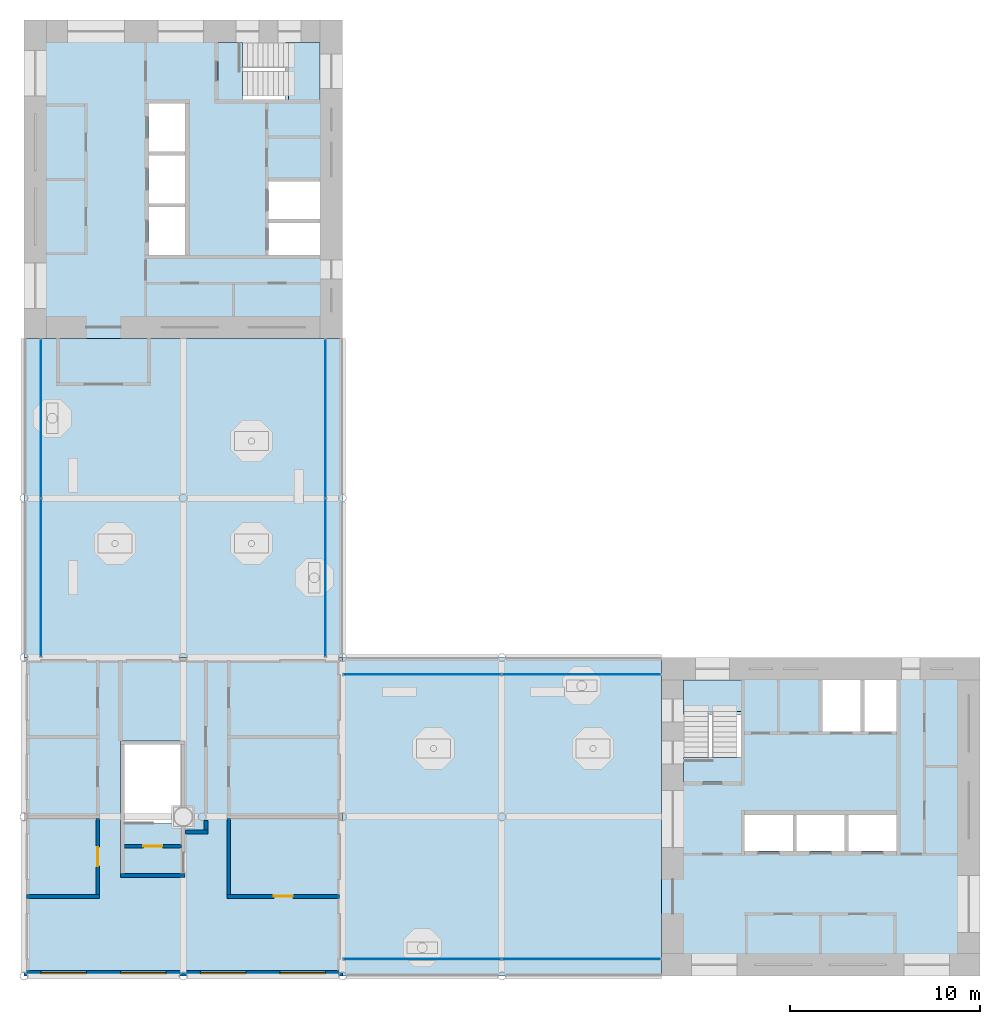
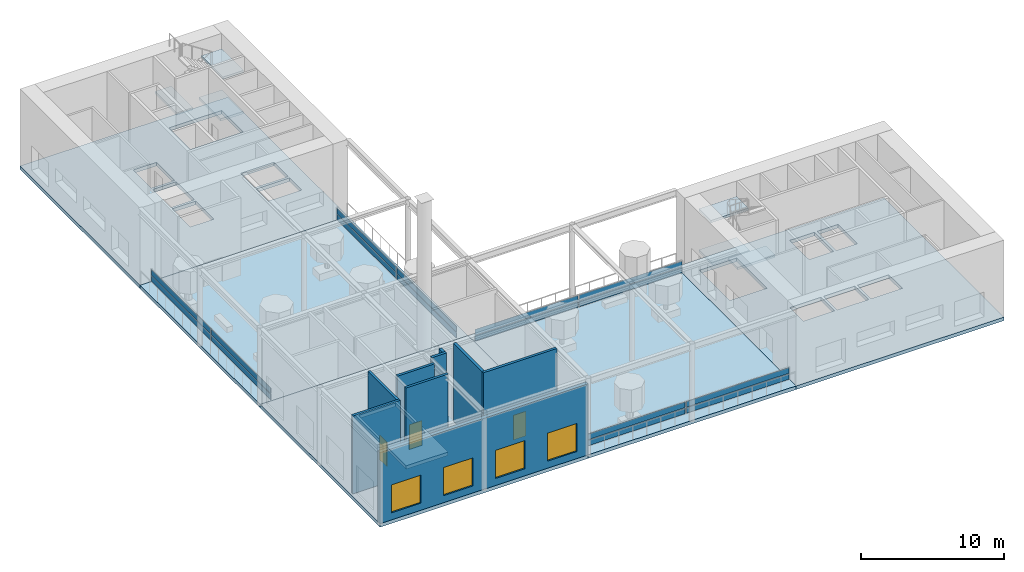
# One storey, part 7 of 15: 16 plates, 12 slabs, 9 walls, 4 windows, 3 doors, 7 openings, 10 elements without a shape of their own.
"""IFC4 building model written with IfcOpenShell, lengths in metres."""

import ifcopenshell
import ifcopenshell.guid

model = None  # the IFC model being written
_history = None  # IfcOwnerHistory: only IFC2X3 demands one
_inside = {}  # id of a spatial element -> (the spatial element, [elements in it])
_under = {}  # id of a project, library or spatial element -> (it, [spatial elements below it])
_declared = {}  # id of a project -> (the project, [libraries it declares])
_typed = {}  # id of a type object -> (the type object, [elements of that type])
_made_of = {}  # id of a material, layer set ... -> (it, [elements and type objects made of it])


def new_model(schema):
    """Start an empty IFC model of exactly this schema.

    Asked for "IFC4X3", IfcOpenShell would pick the latest addendum, in which some entities
    have other attributes; the version numbers below select the first issue.
    IFC2X3 requires an IfcOwnerHistory on every rooted entity: one is made here for all.
    """
    global model, _history
    if schema == "IFC4X3":
        model = ifcopenshell.file(schema_version=(4, 3, 0, 0))
    else:
        model = ifcopenshell.file(schema=schema)
    _inside.clear()
    _under.clear()
    _declared.clear()
    _typed.clear()
    _made_of.clear()
    _history = None
    if model.schema == "IFC2X3":
        org = make("IfcOrganization", Name="unknown")
        user = make(
            "IfcPersonAndOrganization",
            ThePerson=make("IfcPerson", FamilyName="unknown"),
            TheOrganization=org,
        )
        app = make(
            "IfcApplication",
            ApplicationDeveloper=org,
            Version="unknown",
            ApplicationFullName="unknown",
            ApplicationIdentifier="unknown",
        )
        _history = make(
            "IfcOwnerHistory",
            OwningUser=user,
            OwningApplication=app,
            ChangeAction="ADDED",
            CreationDate=0,
        )
    return model


def make(cls, **values):
    """One entity of the class cls with the attributes given. An attribute that is None is left unset."""
    return model.create_entity(
        cls, **{name: value for name, value in values.items() if value is not None}
    )


def rooted(cls, **values):
    """An entity with a GlobalId (a new one), such as an element, a storey or a relation."""
    return make(cls, GlobalId=ifcopenshell.guid.new(), OwnerHistory=_history, **values)


def si_unit(unit_type, name, prefix=None):
    """IfcSIUnit, for example si_unit("LENGTHUNIT", "METRE", prefix="MILLI")."""
    return make("IfcSIUnit", UnitType=unit_type, Prefix=prefix, Name=name)


def assignment(units):
    """IfcUnitAssignment: the units of a project."""
    return None if units is None else make("IfcUnitAssignment", Units=units)


def point(xyz):
    """IfcCartesianPoint."""
    return None if xyz is None else make("IfcCartesianPoint", Coordinates=xyz)


def direction(xyz):
    """IfcDirection."""
    return None if xyz is None else make("IfcDirection", DirectionRatios=xyz)


def frame(location, z_axis=None, x_axis=None):
    """IfcAxis2Placement3D, a coordinate frame: its origin and axes. An axis left out is left unset."""
    return make(
        "IfcAxis2Placement3D",
        Location=point(location),
        Axis=direction(z_axis),
        RefDirection=direction(x_axis),
    )


def frame_2d(location, x_axis=None):
    """IfcAxis2Placement2D, a coordinate frame in the plane: its origin and x axis."""
    return make(
        "IfcAxis2Placement2D", Location=point(location), RefDirection=direction(x_axis)
    )


def origin():
    """The frame at (0, 0, 0) with its axes left unset."""
    return frame((0.0, 0.0, 0.0))


def origin_2d():
    """The frame at (0, 0) in the plane with its x axis left unset."""
    return frame_2d((0.0, 0.0))


def place(relative_to, where):
    """IfcLocalPlacement: puts the frame where relative to a parent placement (None: the world)."""
    return make(
        "IfcLocalPlacement", PlacementRelTo=relative_to, RelativePlacement=where
    )


def context(
    kind, dimensions, precision=None, world=None, true_north=None, identifier=None
):
    """IfcGeometricRepresentationContext, for example the 3D "Model" context."""
    return make(
        "IfcGeometricRepresentationContext",
        ContextIdentifier=identifier,
        ContextType=kind,
        CoordinateSpaceDimension=dimensions,
        Precision=precision,
        WorldCoordinateSystem=world,
        TrueNorth=true_north,
    )


def subcontext(parent, identifier, kind, view, scale=None):
    """IfcGeometricRepresentationSubContext, for example "Body" below "Model"."""
    return make(
        "IfcGeometricRepresentationSubContext",
        ContextIdentifier=identifier,
        ContextType=kind,
        ParentContext=parent,
        TargetScale=scale,
        TargetView=view,
    )


def project(units=None, contexts=None):
    """IfcProject with its units and contexts."""
    return rooted(
        "IfcProject",
        Name="project",
        RepresentationContexts=contexts,
        UnitsInContext=assignment(units),
    )


def spatial(cls, under=None, at=None, **own):
    """A site, building, storey or space (cls), placed at a placement, below another one or the project."""
    s = rooted(cls, ObjectPlacement=at, **own)
    if under is not None:
        _under.setdefault(under.id(), (under, []))[1].append(s)
    return s


def polyline(points):
    """IfcPolyline through the points."""
    return make("IfcPolyline", Points=[point(p) for p in points])


def profile(cls, at=None, kind="AREA", **sizes):
    """A parametric profile (cls). Its sizes go by their IFC names, for example OverallWidth=200.0."""
    return make(cls, ProfileType=kind, Position=at, **sizes)


def rectangle(**sizes):
    """IfcRectangleProfileDef."""
    return profile("IfcRectangleProfileDef", **sizes)


def outline(outer, holes=None, kind="AREA"):
    """IfcArbitraryClosedProfileDef: a profile drawn as a closed curve; with holes, ...WithVoids."""
    if holes is None:
        return make("IfcArbitraryClosedProfileDef", ProfileType=kind, OuterCurve=outer)
    return make(
        "IfcArbitraryProfileDefWithVoids",
        ProfileType=kind,
        OuterCurve=outer,
        InnerCurves=holes,
    )


def extrude(swept, where, along, depth):
    """IfcExtrudedAreaSolid: the profile swept, set in the frame where, extruded along a direction by depth."""
    return make(
        "IfcExtrudedAreaSolid",
        SweptArea=swept,
        Position=where,
        ExtrudedDirection=direction(along),
        Depth=depth,
    )


def shape(context_of_items, identifier, shape_type, items):
    """IfcShapeRepresentation: the items that make up one representation, for example the "Body"."""
    return make(
        "IfcShapeRepresentation",
        ContextOfItems=context_of_items,
        RepresentationIdentifier=identifier,
        RepresentationType=shape_type,
        Items=items,
    )


def material(Name=None, Category=None):
    """IfcMaterial."""
    return make("IfcMaterial", Name=Name, Category=Category)


def layer(
    of_material, thickness, ventilated=None, Name=None, Category=None, Priority=None
):
    """IfcMaterialLayer: one layer of a wall or slab, of a material (None: an air gap)."""
    return make(
        "IfcMaterialLayer",
        Material=of_material,
        LayerThickness=thickness,
        IsVentilated=ventilated,
        Name=Name,
        Category=Category,
        Priority=Priority,
    )


def layer_set(layers, Name=None):
    """IfcMaterialLayerSet."""
    return make("IfcMaterialLayerSet", MaterialLayers=layers, LayerSetName=Name)


def made_of(thing, what):
    """Note that an element or type object is made of a material, layer set ...; save() writes the relation."""
    if what is not None:
        _made_of.setdefault(what.id(), (what, []))[1].append(thing)
    return thing


def type_object(cls, material=None, **own):
    """A type object (cls), such as IfcWallType, which elements share."""
    return made_of(rooted(cls, **own), material)


def element(
    cls,
    number,
    at=None,
    inside=None,
    cuts=None,
    type_object=None,
    material=None,
    context=None,
    identifier="Body",
    shape_type=None,
    held_by="IfcProductDefinitionShape",
    body=None,
    shapes=None,
    **own,
):
    """One element of the class cls, such as IfcWall. Its Tag is "e" and its number.

    at: its placement. inside: the storey or other place that contains it. cuts: it is an
    opening in that element (IfcRelVoidsElement). A single representation is given by context,
    identifier, shape_type and body (its items); several are given by shapes. held_by: the class
    of the entity that holds the representations. save() writes the other relations.
    """
    e = rooted(cls, Tag="e%d" % number, ObjectPlacement=at, **own)
    if body is not None:
        shapes = [shape(context, identifier, shape_type, body)]
    if shapes is not None:
        e.Representation = make(held_by, Representations=shapes)
    if inside is not None:
        _inside.setdefault(inside.id(), (inside, []))[1].append(e)
    if cuts is not None:
        rooted(
            "IfcRelVoidsElement", RelatingBuildingElement=cuts, RelatedOpeningElement=e
        )
    if type_object is not None:
        _typed.setdefault(type_object.id(), (type_object, []))[1].append(e)
    return made_of(e, material)


def fill(opening, filler):
    """IfcRelFillsElement: the door or window that sits in an opening."""
    return rooted(
        "IfcRelFillsElement",
        RelatingOpeningElement=opening,
        RelatedBuildingElement=filler,
    )


def aggregate(whole, parts):
    """IfcRelAggregates: a whole, such as a stair, and the parts it consists of."""
    return rooted("IfcRelAggregates", RelatingObject=whole, RelatedObjects=parts)


def save(model, path):
    """Write the relations noted so far, then the file.

    IfcRelAggregates (storeys below a building ...), IfcRelContainedInSpatialStructure (elements
    in a storey), IfcRelDefinesByType, IfcRelAssociatesMaterial and IfcRelDeclares: one each for
    every whole, place, type object, material and project.
    """
    for whole, parts in _under.values():
        aggregate(whole, parts)
    for where, things in _inside.values():
        rooted(
            "IfcRelContainedInSpatialStructure",
            RelatedElements=things,
            RelatingStructure=where,
        )
    for kind, things in _typed.values():
        rooted("IfcRelDefinesByType", RelatedObjects=things, RelatingType=kind)
    for what, things in _made_of.values():
        rooted("IfcRelAssociatesMaterial", RelatedObjects=things, RelatingMaterial=what)
    for by, libraries in _declared.values():
        rooted("IfcRelDeclares", RelatingContext=by, RelatedDefinitions=libraries)
    model.write(path)


model = new_model("IFC4")

# Units and contexts
model_context = context("Model", 3, precision=1e-05, world=origin(), true_north=direction((0.0, 1.0)))
body_context = subcontext(model_context, "Body", "Model", "MODEL_VIEW")
ifc_project = project(units=[si_unit("LENGTHUNIT", "METRE"), si_unit("AREAUNIT", "SQUARE_METRE"), si_unit("VOLUMEUNIT", "CUBIC_METRE"), si_unit("PLANEANGLEUNIT", "RADIAN"), si_unit("MASSUNIT", "GRAM", prefix="KILO")], contexts=[model_context])

# Site, building, storey
site_placement = place(None, origin())
site = spatial("IfcSite", under=ifc_project, at=site_placement, CompositionType="ELEMENT")
building_placement = place(site_placement, origin())
building = spatial("IfcBuilding", under=site, at=building_placement, Name="Vermilion Gate Residences", CompositionType="ELEMENT")
storey_placement = place(building_placement, frame((0.0, 0.0, 277.199951171875)))
storey = spatial("IfcBuildingStorey", under=building, at=storey_placement, Name="L73", CompositionType="ELEMENT", Elevation=277.199951171875)

# Curtain wall, plates
ifc_material_1 = material(Name="Aluminium and glass", Category="aluminium")
curtain_wall_type = type_object("IfcCurtainWallType", Name="CROWN LOOKOUT GLASS CURTAIN WALL", PredefinedType="NOTDEFINED", material=ifc_material_1)
curtain_wall_1_placement = place(storey_placement, origin())
curtain_wall_1 = element("IfcCurtainWall", 1, at=curtain_wall_1_placement, inside=storey, type_object=curtain_wall_type, Name="Crown Lookout Glass 0", PredefinedType="NOTDEFINED")
ifc_material_2 = material(Name="Toughened glass", Category="glass")
ifc_layer_1 = layer(ifc_material_2, 0.02392578125)
ifc_layer_set_1 = layer_set([ifc_layer_1], Name="CROWN LOOKOUT GLASS GLASS PANEL 24")
plate_type = type_object("IfcPlateType", Name="CROWN LOOKOUT GLASS GLASS PANEL 24", PredefinedType="CURTAIN_PANEL", material=ifc_layer_set_1)
plate_1_placement = place(storey_placement, frame((29.39990234375, 9.300048828125, 0.050048828125), z_axis=(0.0, 0.0, 1.0), x_axis=(1.0, 0.0, 0.0)))
plate_1 = element("IfcPlate", 2, at=plate_1_placement, type_object=plate_type, Name="ECW4 panel 1.1", PredefinedType="CURTAIN_PANEL", context=body_context, shape_type="SweptSolid", body=[
    extrude(rectangle(XDim=8.300048828125, YDim=0.02392578125, at=origin_2d()), origin(), (0.0, 0.0, 1.0), 0.47509765625),
])
plate_2_placement = place(storey_placement, frame((29.39990234375, 9.300048828125, 0.574951171875), z_axis=(0.0, 0.0, 1.0), x_axis=(1.0, 0.0, 0.0)))
plate_2 = element("IfcPlate", 3, at=plate_2_placement, type_object=plate_type, Name="ECW4 panel 1.2", PredefinedType="CURTAIN_PANEL", context=body_context, shape_type="SweptSolid", body=[
    extrude(rectangle(XDim=8.300048828125, YDim=0.02392578125, at=origin_2d()), origin(), (0.0, 0.0, 1.0), 0.47509765625),
])
aggregate(curtain_wall_1, [plate_1, plate_2])

curtain_wall_2_placement = place(storey_placement, origin())
curtain_wall_2 = element("IfcCurtainWall", 4, at=curtain_wall_2_placement, inside=storey, type_object=curtain_wall_type, Name="Crown Lookout Glass 1", PredefinedType="NOTDEFINED")
plate_3_placement = place(storey_placement, frame((37.800048828125, 9.300048828125, 0.050048828125), z_axis=(0.0, 0.0, 1.0), x_axis=(1.0, 0.0, 0.0)))
plate_3 = element("IfcPlate", 5, at=plate_3_placement, type_object=plate_type, Name="ECW4 panel 1.1", PredefinedType="CURTAIN_PANEL", context=body_context, shape_type="SweptSolid", body=[
    extrude(rectangle(XDim=8.300048828125, YDim=0.02392578125, at=origin_2d()), origin(), (0.0, 0.0, 1.0), 0.47509765625),
])
plate_4_placement = place(storey_placement, frame((37.800048828125, 9.300048828125, 0.574951171875), z_axis=(0.0, 0.0, 1.0), x_axis=(1.0, 0.0, 0.0)))
plate_4 = element("IfcPlate", 6, at=plate_4_placement, type_object=plate_type, Name="ECW4 panel 1.2", PredefinedType="CURTAIN_PANEL", context=body_context, shape_type="SweptSolid", body=[
    extrude(rectangle(XDim=8.300048828125, YDim=0.02392578125, at=origin_2d()), origin(), (0.0, 0.0, 1.0), 0.47509765625),
])
aggregate(curtain_wall_2, [plate_3, plate_4])

curtain_wall_3_placement = place(storey_placement, origin())
curtain_wall_3 = element("IfcCurtainWall", 7, at=curtain_wall_3_placement, inside=storey, type_object=curtain_wall_type, Name="Crown Lookout Glass 2", PredefinedType="NOTDEFINED")
plate_5_placement = place(storey_placement, frame((37.800048828125, 24.300048828125, 0.050048828125), z_axis=(0.0, 0.0, 1.0), x_axis=(-1.0, 0.0, 0.0)))
plate_5 = element("IfcPlate", 8, at=plate_5_placement, type_object=plate_type, Name="ECW4 panel 1.1", PredefinedType="CURTAIN_PANEL", context=body_context, shape_type="SweptSolid", body=[
    extrude(rectangle(XDim=8.300048828125, YDim=0.02392578125, at=origin_2d()), origin(), (0.0, 0.0, 1.0), 0.47509765625),
])
plate_6_placement = place(storey_placement, frame((37.800048828125, 24.300048828125, 0.574951171875), z_axis=(0.0, 0.0, 1.0), x_axis=(-1.0, 0.0, 0.0)))
plate_6 = element("IfcPlate", 9, at=plate_6_placement, type_object=plate_type, Name="ECW4 panel 1.2", PredefinedType="CURTAIN_PANEL", context=body_context, shape_type="SweptSolid", body=[
    extrude(rectangle(XDim=8.300048828125, YDim=0.02392578125, at=origin_2d()), origin(), (0.0, 0.0, 1.0), 0.47509765625),
])
aggregate(curtain_wall_3, [plate_5, plate_6])

curtain_wall_4_placement = place(storey_placement, origin())
curtain_wall_4 = element("IfcCurtainWall", 10, at=curtain_wall_4_placement, inside=storey, type_object=curtain_wall_type, Name="Crown Lookout Glass 3", PredefinedType="NOTDEFINED")
plate_7_placement = place(storey_placement, frame((29.39990234375, 24.300048828125, 0.050048828125), z_axis=(0.0, 0.0, 1.0), x_axis=(-1.0, 0.0, 0.0)))
plate_7 = element("IfcPlate", 11, at=plate_7_placement, type_object=plate_type, Name="ECW4 panel 1.1", PredefinedType="CURTAIN_PANEL", context=body_context, shape_type="SweptSolid", body=[
    extrude(rectangle(XDim=8.300048828125, YDim=0.02392578125, at=origin_2d()), origin(), (0.0, 0.0, 1.0), 0.47509765625),
])
plate_8_placement = place(storey_placement, frame((29.39990234375, 24.300048828125, 0.574951171875), z_axis=(0.0, 0.0, 1.0), x_axis=(-1.0, 0.0, 0.0)))
plate_8 = element("IfcPlate", 12, at=plate_8_placement, type_object=plate_type, Name="ECW4 panel 1.2", PredefinedType="CURTAIN_PANEL", context=body_context, shape_type="SweptSolid", body=[
    extrude(rectangle(XDim=8.300048828125, YDim=0.02392578125, at=origin_2d()), origin(), (0.0, 0.0, 1.0), 0.47509765625),
])
aggregate(curtain_wall_4, [plate_7, plate_8])

curtain_wall_5_placement = place(storey_placement, origin())
curtain_wall_5 = element("IfcCurtainWall", 13, at=curtain_wall_5_placement, inside=storey, type_object=curtain_wall_type, Name="Crown Lookout Glass 4", PredefinedType="NOTDEFINED")
plate_9_placement = place(storey_placement, frame((24.300048828125, 29.39990234375, 0.050048828125), z_axis=(0.0, 0.0, 1.0), x_axis=(0.0, 1.0, 0.0)))
plate_9 = element("IfcPlate", 14, at=plate_9_placement, type_object=plate_type, Name="ECW4 panel 1.1", PredefinedType="CURTAIN_PANEL", context=body_context, shape_type="SweptSolid", body=[
    extrude(rectangle(XDim=8.300048828125, YDim=0.02392578125, at=origin_2d()), origin(), (0.0, 0.0, 1.0), 0.47509765625),
])
plate_10_placement = place(storey_placement, frame((24.300048828125, 29.39990234375, 0.574951171875), z_axis=(0.0, 0.0, 1.0), x_axis=(0.0, 1.0, 0.0)))
plate_10 = element("IfcPlate", 15, at=plate_10_placement, type_object=plate_type, Name="ECW4 panel 1.2", PredefinedType="CURTAIN_PANEL", context=body_context, shape_type="SweptSolid", body=[
    extrude(rectangle(XDim=8.300048828125, YDim=0.02392578125, at=origin_2d()), origin(), (0.0, 0.0, 1.0), 0.47509765625),
])
aggregate(curtain_wall_5, [plate_9, plate_10])

curtain_wall_6_placement = place(storey_placement, origin())
curtain_wall_6 = element("IfcCurtainWall", 16, at=curtain_wall_6_placement, inside=storey, type_object=curtain_wall_type, Name="Crown Lookout Glass 5", PredefinedType="NOTDEFINED")
plate_11_placement = place(storey_placement, frame((24.300048828125, 37.800048828125, 0.050048828125), z_axis=(0.0, 0.0, 1.0), x_axis=(0.0, 1.0, 0.0)))
plate_11 = element("IfcPlate", 17, at=plate_11_placement, type_object=plate_type, Name="ECW4 panel 1.1", PredefinedType="CURTAIN_PANEL", context=body_context, shape_type="SweptSolid", body=[
    extrude(rectangle(XDim=8.300048828125, YDim=0.02392578125, at=origin_2d()), origin(), (0.0, 0.0, 1.0), 0.47509765625),
])
plate_12_placement = place(storey_placement, frame((24.300048828125, 37.800048828125, 0.574951171875), z_axis=(0.0, 0.0, 1.0), x_axis=(0.0, 1.0, 0.0)))
plate_12 = element("IfcPlate", 18, at=plate_12_placement, type_object=plate_type, Name="ECW4 panel 1.2", PredefinedType="CURTAIN_PANEL", context=body_context, shape_type="SweptSolid", body=[
    extrude(rectangle(XDim=8.300048828125, YDim=0.02392578125, at=origin_2d()), origin(), (0.0, 0.0, 1.0), 0.47509765625),
])
aggregate(curtain_wall_6, [plate_11, plate_12])

curtain_wall_7_placement = place(storey_placement, origin())
curtain_wall_7 = element("IfcCurtainWall", 19, at=curtain_wall_7_placement, inside=storey, type_object=curtain_wall_type, Name="Crown Lookout Glass 6", PredefinedType="NOTDEFINED")
plate_13_placement = place(storey_placement, frame((9.300048828125, 37.800048828125, 0.050048828125), z_axis=(0.0, 0.0, 1.0), x_axis=(0.0, -1.0, 0.0)))
plate_13 = element("IfcPlate", 20, at=plate_13_placement, type_object=plate_type, Name="ECW4 panel 1.1", PredefinedType="CURTAIN_PANEL", context=body_context, shape_type="SweptSolid", body=[
    extrude(rectangle(XDim=8.300048828125, YDim=0.02392578125, at=origin_2d()), origin(), (0.0, 0.0, 1.0), 0.47509765625),
])
plate_14_placement = place(storey_placement, frame((9.300048828125, 37.800048828125, 0.574951171875), z_axis=(0.0, 0.0, 1.0), x_axis=(0.0, -1.0, 0.0)))
plate_14 = element("IfcPlate", 21, at=plate_14_placement, type_object=plate_type, Name="ECW4 panel 1.2", PredefinedType="CURTAIN_PANEL", context=body_context, shape_type="SweptSolid", body=[
    extrude(rectangle(XDim=8.300048828125, YDim=0.02392578125, at=origin_2d()), origin(), (0.0, 0.0, 1.0), 0.47509765625),
])
aggregate(curtain_wall_7, [plate_13, plate_14])

curtain_wall_8_placement = place(storey_placement, origin())
curtain_wall_8 = element("IfcCurtainWall", 22, at=curtain_wall_8_placement, inside=storey, type_object=curtain_wall_type, Name="Crown Lookout Glass 7", PredefinedType="NOTDEFINED")
plate_15_placement = place(storey_placement, frame((9.300048828125, 29.39990234375, 0.050048828125), z_axis=(0.0, 0.0, 1.0), x_axis=(0.0, -1.0, 0.0)))
plate_15 = element("IfcPlate", 23, at=plate_15_placement, type_object=plate_type, Name="ECW4 panel 1.1", PredefinedType="CURTAIN_PANEL", context=body_context, shape_type="SweptSolid", body=[
    extrude(rectangle(XDim=8.300048828125, YDim=0.02392578125, at=origin_2d()), origin(), (0.0, 0.0, 1.0), 0.47509765625),
])
plate_16_placement = place(storey_placement, frame((9.300048828125, 29.39990234375, 0.574951171875), z_axis=(0.0, 0.0, 1.0), x_axis=(0.0, -1.0, 0.0)))
plate_16 = element("IfcPlate", 24, at=plate_16_placement, type_object=plate_type, Name="ECW4 panel 1.2", PredefinedType="CURTAIN_PANEL", context=body_context, shape_type="SweptSolid", body=[
    extrude(rectangle(XDim=8.300048828125, YDim=0.02392578125, at=origin_2d()), origin(), (0.0, 0.0, 1.0), 0.47509765625),
])
aggregate(curtain_wall_8, [plate_15, plate_16])

# Slabs
ifc_material_3 = material(Name="Concrete C50", Category="concrete")
ifc_layer_2 = layer(ifc_material_3, 0.300048828125)
ifc_layer_set_2 = layer_set([ifc_layer_2], Name="RC CORE FLOOR SLAB 300 C50")
slab_type_1 = type_object("IfcSlabType", Name="RC CORE FLOOR SLAB 300 C50", PredefinedType="FLOOR", material=ifc_layer_set_2)
slab_1_placement = place(storey_placement, frame((0.0, 0.0, -0.300048828125)))
element("IfcSlab", 25, at=slab_1_placement, inside=storey, type_object=slab_type_1, Name="Core floor slab A73", PredefinedType="FLOOR", context=body_context, shape_type="SweptSolid", body=[
    extrude(outline(polyline([(42.0, 8.39990234375), (58.800048828125, 8.39990234375), (58.800048828125, 25.199951171875), (42.0, 25.199951171875), (42.0, 8.39990234375)]), holes=[polyline([(46.39990234375, 15.0), (46.39990234375, 16.89990234375), (48.933349609375, 16.89990234375), (48.933349609375, 15.0), (46.39990234375, 15.0)]), polyline([(49.13330078125, 16.89990234375), (51.666748046875, 16.89990234375), (51.666748046875, 15.0), (49.13330078125, 15.0), (49.13330078125, 16.89990234375)]), polyline([(51.86669921875, 16.89990234375), (54.39990234375, 16.89990234375), (54.39990234375, 15.0), (51.86669921875, 15.0), (51.86669921875, 16.89990234375)]), polyline([(43.199951171875, 19.75), (43.199951171875, 24.0), (46.199951171875, 24.0), (46.199951171875, 19.75), (43.199951171875, 19.75)]), polyline([(50.5, 24.0), (52.5, 24.0), (52.5, 21.300048828125), (50.5, 21.300048828125), (50.5, 24.0)]), polyline([(52.699951171875, 24.0), (54.39990234375, 24.0), (54.39990234375, 21.300048828125), (52.699951171875, 21.300048828125), (52.699951171875, 24.0)])]), origin(), (0.0, 0.0, 1.0), 0.300048828125),
])
slab_2_placement = place(storey_placement, frame((0.0, 0.0, -0.300048828125)))
element("IfcSlab", 26, at=slab_2_placement, inside=storey, type_object=slab_type_1, Name="Core floor slab B73", PredefinedType="FLOOR", context=body_context, shape_type="SweptSolid", body=[
    extrude(outline(polyline([(8.39990234375, 42.0), (25.199951171875, 42.0), (25.199951171875, 58.800048828125), (8.39990234375, 58.800048828125), (8.39990234375, 42.0)]), holes=[polyline([(21.300048828125, 46.39990234375), (21.300048828125, 48.10009765625), (24.0, 48.10009765625), (24.0, 46.39990234375), (21.300048828125, 46.39990234375)]), polyline([(15.0, 48.933349609375), (16.89990234375, 48.933349609375), (16.89990234375, 46.39990234375), (15.0, 46.39990234375), (15.0, 48.933349609375)]), polyline([(21.300048828125, 50.300048828125), (24.0, 50.300048828125), (24.0, 48.300048828125), (21.300048828125, 48.300048828125), (21.300048828125, 50.300048828125)]), polyline([(15.0, 49.13330078125), (15.0, 51.666748046875), (16.89990234375, 51.666748046875), (16.89990234375, 49.13330078125), (15.0, 49.13330078125)]), polyline([(15.0, 54.39990234375), (16.89990234375, 54.39990234375), (16.89990234375, 51.86669921875), (15.0, 51.86669921875), (15.0, 54.39990234375)]), polyline([(19.75, 57.60009765625), (24.0, 57.60009765625), (24.0, 54.60009765625), (19.75, 54.60009765625), (19.75, 57.60009765625)])]), origin(), (0.0, 0.0, 1.0), 0.300048828125),
])
slab_3_placement = place(storey_placement, frame((0.0, 0.0, -0.300048828125)))
element("IfcSlab", 27, at=slab_3_placement, inside=storey, type_object=slab_type_1, Name="Apex stair floor slab 73", PredefinedType="FLOOR", context=body_context, shape_type="SweptSolid", body=[
    extrude(outline(polyline([(13.5, 13.60009765625), (16.89990234375, 13.60009765625), (16.89990234375, 20.800048828125), (13.5, 20.800048828125), (13.5, 13.60009765625)]), holes=[polyline([(16.699951171875, 20.60009765625), (16.699951171875, 16.449951171875), (13.699951171875, 16.449951171875), (13.699951171875, 20.60009765625), (16.699951171875, 20.60009765625)])]), origin(), (0.0, 0.0, 1.0), 0.300048828125),
])
ifc_material_4 = material(Name="Concrete C50", Category="concrete")
ifc_layer_3 = layer(ifc_material_4, 0.300048828125)
ifc_layer_set_3 = layer_set([ifc_layer_3], Name="RC FLAT PLATE 300 C50")
slab_type_2 = type_object("IfcSlabType", Name="RC FLAT PLATE 300 C50", PredefinedType="FLOOR", material=ifc_layer_set_3)
slab_4_placement = place(storey_placement, frame((0.0, 0.0, -0.300048828125)))
element("IfcSlab", 28, at=slab_4_placement, inside=storey, type_object=slab_type_2, Name="Crown plant floor", PredefinedType="FLOOR", context=body_context, shape_type="SweptSolid", body=[
    extrude(outline(polyline([(8.39990234375, 8.39990234375), (25.199951171875, 8.39990234375), (25.199951171875, 25.199951171875), (8.39990234375, 25.199951171875), (8.39990234375, 8.39990234375)]), holes=[polyline([(13.5, 13.60009765625), (13.5, 20.800048828125), (16.89990234375, 20.800048828125), (16.89990234375, 13.60009765625), (13.5, 13.60009765625)])]), origin(), (0.0, 0.0, 1.0), 0.300048828125),
])
ifc_material_5 = material(Name="Concrete C50", Category="concrete")
ifc_layer_4 = layer(ifc_material_5, 0.300048828125)
ifc_layer_set_4 = layer_set([ifc_layer_4], Name="RC OBSERVATION DECK SLAB 300 C50")
slab_type_3 = type_object("IfcSlabType", Name="RC OBSERVATION DECK SLAB 300 C50", PredefinedType="FLOOR", material=ifc_layer_set_4)
slab_5_placement = place(storey_placement, frame((0.0, 0.0, -0.300048828125)))
element("IfcSlab", 29, at=slab_5_placement, inside=storey, type_object=slab_type_3, Name="Observation deck slab", PredefinedType="FLOOR", context=body_context, shape_type="SweptSolid", body=[
    extrude(outline(polyline([(42.0, 25.199951171875), (25.199951171875, 25.199951171875), (25.199951171875, 8.39990234375), (42.0, 8.39990234375), (42.0, 25.199951171875)])), origin(), (0.0, 0.0, 1.0), 0.300048828125),
])
slab_6_placement = place(storey_placement, frame((0.0, 0.0, -0.300048828125)))
element("IfcSlab", 30, at=slab_6_placement, inside=storey, type_object=slab_type_3, Name="Observation deck slab", PredefinedType="FLOOR", context=body_context, shape_type="SweptSolid", body=[
    extrude(outline(polyline([(25.199951171875, 42.0), (8.39990234375, 42.0), (8.39990234375, 25.199951171875), (25.199951171875, 25.199951171875), (25.199951171875, 42.0)])), origin(), (0.0, 0.0, 1.0), 0.300048828125),
])

# Stair, slabs
ifc_material_6 = material(Name="Concrete C50", Category="concrete")
stair_type = type_object("IfcStairType", Name="SPECIAL ESCAPE STAIR 1300", PredefinedType="HALF_TURN_STAIR", material=ifc_material_6)
stair_1_placement = place(storey_placement, origin())
stair_1 = element("IfcStair", 31, at=stair_1_placement, inside=storey, type_object=stair_type, Name="Special escape stair STA1-73", PredefinedType="HALF_TURN_STAIR")
ifc_material_7 = material(Name="Concrete C50", Category="concrete")
ifc_layer_5 = layer(ifc_material_7, 0.199951171875)
ifc_layer_set_5 = layer_set([ifc_layer_5], Name="STAIR LANDING 200 C50")
slab_type_4 = type_object("IfcSlabType", Name="STAIR LANDING 200 C50", PredefinedType="LANDING", material=ifc_layer_set_5)
slab_7_placement = place(storey_placement, frame((0.0, 0.0, 1.550048828125)))
slab_7 = element("IfcSlab", 32, at=slab_7_placement, type_object=slab_type_4, Name="STA1-73 landing 1", PredefinedType="LANDING", context=body_context, shape_type="SweptSolid", body=[
    extrude(outline(polyline([(46.219970703125, 22.179931640625), (46.219970703125, 24.02001953125), (43.179931640625, 24.02001953125), (43.179931640625, 22.179931640625), (46.219970703125, 22.179931640625)])), origin(), (0.0, 0.0, 1.0), 0.199951171875),
])
slab_8_placement = place(storey_placement, frame((0.0, 0.0, 3.300048828125)))
slab_8 = element("IfcSlab", 33, at=slab_8_placement, type_object=slab_type_4, Name="STA1-73 landing 2", PredefinedType="LANDING", context=body_context, shape_type="SweptSolid", body=[
    extrude(outline(polyline([(46.219970703125, 18.6298828125), (46.219970703125, 19.929931640625), (43.179931640625, 19.929931640625), (43.179931640625, 18.6298828125), (46.219970703125, 18.6298828125)])), origin(), (0.0, 0.0, 1.0), 0.199951171875),
])
slab_9_placement = place(storey_placement, frame((0.0, 0.0, 5.050048828125)))
slab_9 = element("IfcSlab", 34, at=slab_9_placement, type_object=slab_type_4, Name="STA1-73 landing 3", PredefinedType="LANDING", context=body_context, shape_type="SweptSolid", body=[
    extrude(outline(polyline([(46.219970703125, 22.360107421875), (46.219970703125, 24.02001953125), (43.179931640625, 24.02001953125), (43.179931640625, 22.360107421875), (46.219970703125, 22.360107421875)])), origin(), (0.0, 0.0, 1.0), 0.199951171875),
])
aggregate(stair_1, [slab_7, slab_8, slab_9])

stair_2_placement = place(storey_placement, origin())
stair_2 = element("IfcStair", 35, at=stair_2_placement, inside=storey, type_object=stair_type, Name="Special escape stair STB1-73", PredefinedType="HALF_TURN_STAIR")
slab_10_placement = place(storey_placement, frame((0.0, 0.0, 1.550048828125)))
slab_10 = element("IfcSlab", 36, at=slab_10_placement, type_object=slab_type_4, Name="STB1-73 landing 1", PredefinedType="LANDING", context=body_context, shape_type="SweptSolid", body=[
    extrude(outline(polyline([(24.02001953125, 54.580078125), (24.02001953125, 57.6201171875), (22.179931640625, 57.6201171875), (22.179931640625, 54.580078125), (24.02001953125, 54.580078125)])), origin(), (0.0, 0.0, 1.0), 0.199951171875),
])
slab_11_placement = place(storey_placement, frame((0.0, 0.0, 3.300048828125)))
slab_11 = element("IfcSlab", 37, at=slab_11_placement, type_object=slab_type_4, Name="STB1-73 landing 2", PredefinedType="LANDING", context=body_context, shape_type="SweptSolid", body=[
    extrude(outline(polyline([(19.929931640625, 54.580078125), (19.929931640625, 57.6201171875), (18.6298828125, 57.6201171875), (18.6298828125, 54.580078125), (19.929931640625, 54.580078125)])), origin(), (0.0, 0.0, 1.0), 0.199951171875),
])
slab_12_placement = place(storey_placement, frame((0.0, 0.0, 5.050048828125)))
slab_12 = element("IfcSlab", 38, at=slab_12_placement, type_object=slab_type_4, Name="STB1-73 landing 3", PredefinedType="LANDING", context=body_context, shape_type="SweptSolid", body=[
    extrude(outline(polyline([(24.02001953125, 54.580078125), (24.02001953125, 57.6201171875), (22.360107421875, 57.6201171875), (22.360107421875, 54.580078125), (24.02001953125, 54.580078125)])), origin(), (0.0, 0.0, 1.0), 0.199951171875),
])
aggregate(stair_2, [slab_10, slab_11, slab_12])

# Wall
ifc_material_8 = material(Name="Concrete blockwork", Category="masonry")
ifc_layer_6 = layer(ifc_material_8, 0.199951171875)
ifc_layer_set_6 = layer_set([ifc_layer_6], Name="FIRE WALL 200 EI 120 (AMENITY)")
wall_type_1 = type_object("IfcWallType", Name="FIRE WALL 200 EI 120 (AMENITY)", PredefinedType="PARTITIONING", material=ifc_layer_set_6)
wall_1_placement = place(storey_placement, frame((8.550048828125, 12.60009765625, 0.0), z_axis=(0.0, 0.0, 1.0), x_axis=(1.0, 0.0, 0.0)))
element("IfcWall", 39, at=wall_1_placement, inside=storey, type_object=wall_type_1, Name="Fire-resisting wall 1", PredefinedType="PARTITIONING", context=body_context, shape_type="SweptSolid", body=[
    extrude(rectangle(XDim=3.849853515625, YDim=0.199951171875, at=frame_2d((1.9248046875, 0.0))), origin(), (0.0, 0.0, 1.0), 6.650146484375),
])

# Wall, opening, door
wall_2_placement = place(storey_placement, frame((12.300048828125, 12.699951171875, 0.0), z_axis=(0.0, 0.0, 1.0), x_axis=(0.0, 1.0, 0.0)))
wall_2 = element("IfcWall", 40, at=wall_2_placement, inside=storey, type_object=wall_type_1, Name="Fire-resisting wall 6", PredefinedType="PARTITIONING", context=body_context, shape_type="SweptSolid", body=[
    extrude(rectangle(XDim=4.0, YDim=0.199951171875, at=frame_2d((2.0, 0.0))), origin(), (0.0, 0.0, 1.0), 6.650146484375),
])
opening_1_placement = place(wall_2_placement, frame((1.5, 0.0, 0.0)))
opening_1 = element("IfcOpeningElement", 41, at=opening_1_placement, cuts=wall_2, Name="Opening DM73001", PredefinedType="OPENING", context=body_context, shape_type="SweptSolid", body=[
    extrude(rectangle(XDim=1.0, YDim=2.10009765625, at=frame_2d((0.5, 1.050048828125))), frame((0.0, 0.10986328125, 0.0), z_axis=(0.0, -1.0, 0.0), x_axis=(1.0, 0.0, 0.0)), (0.0, 0.0, 1.0), 0.219970703125),
])
ifc_material_9 = material(Name="Steel", Category="steel")
door_type_1 = type_object("IfcDoorType", Name="DOOR 1000 X 2100 FD60 (AMENITY)", OperationType="SINGLE_SWING_LEFT", PredefinedType="DOOR", material=ifc_material_9)
door_1_placement = place(opening_1_placement, origin())
door_1 = element("IfcDoor", 42, at=door_1_placement, inside=storey, type_object=door_type_1, Name="Door L73 1", OperationType="SINGLE_SWING_LEFT", OverallHeight=2.10009765625, OverallWidth=1.0, PredefinedType="DOOR", context=body_context, shape_type="SweptSolid", body=[
    extrude(rectangle(XDim=1.0, YDim=2.10009765625, at=frame_2d((0.5, 1.050048828125))), frame((0.0, 0.02490234375, 0.0), z_axis=(0.0, -1.0, 0.0), x_axis=(1.0, 0.0, 0.0)), (0.0, 0.0, 1.0), 0.050048828125),
])
fill(opening_1, door_1)

# Walls
wall_3_placement = place(storey_placement, frame((16.89990234375, 16.0, 0.0), z_axis=(0.0, 0.0, 1.0), x_axis=(1.0, 0.0, 0.0)))
element("IfcWall", 43, at=wall_3_placement, inside=storey, type_object=wall_type_1, Name="Fire-resisting wall 11", PredefinedType="PARTITIONING", context=body_context, shape_type="SweptSolid", body=[
    extrude(rectangle(XDim=1.2001953125, YDim=0.199951171875, at=frame_2d((0.60009765625, 0.0))), origin(), (0.0, 0.0, 1.0), 6.650146484375),
])
wall_4_placement = place(storey_placement, frame((18.0, 16.10009765625, 0.0), z_axis=(0.0, 0.0, 1.0), x_axis=(0.0, 1.0, 0.0)))
element("IfcWall", 44, at=wall_4_placement, inside=storey, type_object=wall_type_1, Name="Fire-resisting wall 12", PredefinedType="PARTITIONING", context=body_context, shape_type="SweptSolid", body=[
    extrude(rectangle(XDim=0.5, YDim=0.199951171875, at=frame_2d((0.25, 0.0))), origin(), (0.0, 0.0, 1.0), 6.650146484375),
])
wall_5_placement = place(storey_placement, frame((19.199951171875, 12.699951171875, 0.0), z_axis=(0.0, 0.0, 1.0), x_axis=(0.0, 1.0, 0.0)))
element("IfcWall", 45, at=wall_5_placement, inside=storey, type_object=wall_type_1, Name="Fire-resisting wall 14", PredefinedType="PARTITIONING", context=body_context, shape_type="SweptSolid", body=[
    extrude(rectangle(XDim=4.0, YDim=0.199951171875, at=frame_2d((2.0, 0.0))), origin(), (0.0, 0.0, 1.0), 6.650146484375),
])

# Wall, opening, door
wall_6_placement = place(storey_placement, frame((19.10009765625, 12.60009765625, 0.0), z_axis=(0.0, 0.0, 1.0), x_axis=(1.0, 0.0, 0.0)))
wall_6 = element("IfcWall", 46, at=wall_6_placement, inside=storey, type_object=wall_type_1, Name="Fire-resisting wall 15", PredefinedType="PARTITIONING", context=body_context, shape_type="SweptSolid", body=[
    extrude(rectangle(XDim=5.949951171875, YDim=0.199951171875, at=frame_2d((2.97509765625, 0.0))), origin(), (0.0, 0.0, 1.0), 6.650146484375),
])
opening_2_placement = place(wall_6_placement, frame((2.47509765625, 0.0, 0.0)))
opening_2 = element("IfcOpeningElement", 47, at=opening_2_placement, cuts=wall_6, Name="Opening DM73004", PredefinedType="OPENING", context=body_context, shape_type="SweptSolid", body=[
    extrude(rectangle(XDim=1.0, YDim=2.10009765625, at=frame_2d((0.5, 1.050048828125))), frame((0.0, 0.10986328125, 0.0), z_axis=(0.0, -1.0, 0.0), x_axis=(1.0, 0.0, 0.0)), (0.0, 0.0, 1.0), 0.219970703125),
])
door_2_placement = place(opening_2_placement, frame((1.0, 0.0, 0.0), z_axis=(0.0, 0.0, 1.0), x_axis=(-1.0, 0.0, 0.0)))
door_2 = element("IfcDoor", 48, at=door_2_placement, inside=storey, type_object=door_type_1, Name="Door L73 4", OperationType="SINGLE_SWING_LEFT", OverallHeight=2.10009765625, OverallWidth=1.0, PredefinedType="DOOR", context=body_context, shape_type="SweptSolid", body=[
    extrude(rectangle(XDim=1.0, YDim=2.10009765625, at=frame_2d((0.5, 1.050048828125))), frame((0.0, 0.02490234375, 0.0), z_axis=(0.0, -1.0, 0.0), x_axis=(1.0, 0.0, 0.0)), (0.0, 0.0, 1.0), 0.050048828125),
])
fill(opening_2, door_2)

# Wall, openings, windows
ifc_material_10 = material(Name="Insulated steel stud wall with terracotta cladding", Category="masonry")
ifc_layer_7 = layer(ifc_material_10, 0.300048828125)
ifc_layer_set_7 = layer_set([ifc_layer_7], Name="PLANT BLOCK WALL 300 TERRACOTTA CLADDING")
wall_type_2 = type_object("IfcWallType", Name="PLANT BLOCK WALL 300 TERRACOTTA CLADDING", PredefinedType="SOLIDWALL", material=ifc_layer_set_7)
wall_7_placement = place(storey_placement, frame((8.39990234375, 8.550048828125, 0.0), z_axis=(0.0, 0.0, 1.0), x_axis=(1.0, 0.0, 0.0)))
wall_7 = element("IfcWall", 49, at=wall_7_placement, inside=storey, type_object=wall_type_2, Name="Plant block wall", PredefinedType="SOLIDWALL", context=body_context, shape_type="SweptSolid", body=[
    extrude(rectangle(XDim=16.800048828125, YDim=0.300048828125, at=frame_2d((8.39990234375, 0.0))), origin(), (0.0, 0.0, 1.0), 6.06201171875),
])
opening_3_placement = place(wall_7_placement, frame((0.89990234375, 0.0, 0.60009765625)))
opening_3 = element("IfcOpeningElement", 50, at=opening_3_placement, cuts=wall_7, Name="Opening WE73012", PredefinedType="OPENING", context=body_context, shape_type="SweptSolid", body=[
    extrude(rectangle(XDim=2.39990234375, YDim=2.39990234375, at=frame_2d((1.199951171875, 1.199951171875))), frame((0.0, 0.159912109375, 0.0), z_axis=(0.0, -1.0, 0.0), x_axis=(1.0, 0.0, 0.0)), (0.0, 0.0, 1.0), 0.320068359375),
])
opening_4_placement = place(wall_7_placement, frame((5.10009765625, 0.0, 0.60009765625)))
opening_4 = element("IfcOpeningElement", 51, at=opening_4_placement, cuts=wall_7, Name="Opening WE73013", PredefinedType="OPENING", context=body_context, shape_type="SweptSolid", body=[
    extrude(rectangle(XDim=2.39990234375, YDim=2.39990234375, at=frame_2d((1.199951171875, 1.199951171875))), frame((0.0, 0.159912109375, 0.0), z_axis=(0.0, -1.0, 0.0), x_axis=(1.0, 0.0, 0.0)), (0.0, 0.0, 1.0), 0.320068359375),
])
opening_5_placement = place(wall_7_placement, frame((9.300048828125, 0.0, 0.60009765625)))
opening_5 = element("IfcOpeningElement", 52, at=opening_5_placement, cuts=wall_7, Name="Opening WE73014", PredefinedType="OPENING", context=body_context, shape_type="SweptSolid", body=[
    extrude(rectangle(XDim=2.39990234375, YDim=2.39990234375, at=frame_2d((1.199951171875, 1.199951171875))), frame((0.0, 0.159912109375, 0.0), z_axis=(0.0, -1.0, 0.0), x_axis=(1.0, 0.0, 0.0)), (0.0, 0.0, 1.0), 0.320068359375),
])
opening_6_placement = place(wall_7_placement, frame((13.5, 0.0, 0.60009765625)))
opening_6 = element("IfcOpeningElement", 53, at=opening_6_placement, cuts=wall_7, Name="Opening WE73015", PredefinedType="OPENING", context=body_context, shape_type="SweptSolid", body=[
    extrude(rectangle(XDim=2.39990234375, YDim=2.39990234375, at=frame_2d((1.199951171875, 1.199951171875))), frame((0.0, 0.159912109375, 0.0), z_axis=(0.0, -1.0, 0.0), x_axis=(1.0, 0.0, 0.0)), (0.0, 0.0, 1.0), 0.320068359375),
])
ifc_material_11 = material(Name="Aluminium frame with louvre blades", Category="aluminium")
window_type = type_object("IfcWindowType", Name="PLANT LOUVRE 2400 X 2400", PartitioningType="SINGLE_PANEL", PredefinedType="WINDOW", material=ifc_material_11)
window_1_placement = place(opening_3_placement, origin())
window_1 = element("IfcWindow", 54, at=window_1_placement, inside=storey, type_object=window_type, Name="Plant louvre", OverallHeight=2.39990234375, OverallWidth=2.39990234375, PartitioningType="SINGLE_PANEL", PredefinedType="WINDOW", context=body_context, shape_type="SweptSolid", body=[
    extrude(rectangle(XDim=2.39990234375, YDim=2.39990234375, at=frame_2d((1.199951171875, 1.199951171875))), frame((0.0, 0.030029296875, 0.0), z_axis=(0.0, -1.0, 0.0), x_axis=(1.0, 0.0, 0.0)), (0.0, 0.0, 1.0), 0.06005859375),
])
fill(opening_3, window_1)
window_2_placement = place(opening_4_placement, origin())
window_2 = element("IfcWindow", 55, at=window_2_placement, inside=storey, type_object=window_type, Name="Plant louvre", OverallHeight=2.39990234375, OverallWidth=2.39990234375, PartitioningType="SINGLE_PANEL", PredefinedType="WINDOW", context=body_context, shape_type="SweptSolid", body=[
    extrude(rectangle(XDim=2.39990234375, YDim=2.39990234375, at=frame_2d((1.199951171875, 1.199951171875))), frame((0.0, 0.030029296875, 0.0), z_axis=(0.0, -1.0, 0.0), x_axis=(1.0, 0.0, 0.0)), (0.0, 0.0, 1.0), 0.06005859375),
])
fill(opening_4, window_2)
window_3_placement = place(opening_5_placement, origin())
window_3 = element("IfcWindow", 56, at=window_3_placement, inside=storey, type_object=window_type, Name="Plant louvre", OverallHeight=2.39990234375, OverallWidth=2.39990234375, PartitioningType="SINGLE_PANEL", PredefinedType="WINDOW", context=body_context, shape_type="SweptSolid", body=[
    extrude(rectangle(XDim=2.39990234375, YDim=2.39990234375, at=frame_2d((1.199951171875, 1.199951171875))), frame((0.0, 0.030029296875, 0.0), z_axis=(0.0, -1.0, 0.0), x_axis=(1.0, 0.0, 0.0)), (0.0, 0.0, 1.0), 0.06005859375),
])
fill(opening_5, window_3)
window_4_placement = place(opening_6_placement, origin())
window_4 = element("IfcWindow", 57, at=window_4_placement, inside=storey, type_object=window_type, Name="Plant louvre", OverallHeight=2.39990234375, OverallWidth=2.39990234375, PartitioningType="SINGLE_PANEL", PredefinedType="WINDOW", context=body_context, shape_type="SweptSolid", body=[
    extrude(rectangle(XDim=2.39990234375, YDim=2.39990234375, at=frame_2d((1.199951171875, 1.199951171875))), frame((0.0, 0.030029296875, 0.0), z_axis=(0.0, -1.0, 0.0), x_axis=(1.0, 0.0, 0.0)), (0.0, 0.0, 1.0), 0.06005859375),
])
fill(opening_6, window_4)

# Wall
ifc_material_12 = material(Name="Concrete C60", Category="concrete")
ifc_layer_8 = layer(ifc_material_12, 0.199951171875)
ifc_layer_set_8 = layer_set([ifc_layer_8], Name="RC CORE INTERNAL WALL 200 C60")
wall_type_3 = type_object("IfcWallType", Name="RC CORE INTERNAL WALL 200 C60", PredefinedType="SHEAR", material=ifc_layer_set_8)
wall_8_placement = place(storey_placement, frame((13.5, 13.699951171875, 0.0), z_axis=(0.0, 0.0, 1.0), x_axis=(1.0, 0.0, 0.0)))
element("IfcWall", 58, at=wall_8_placement, inside=storey, type_object=wall_type_3, Name="Core internal wall C73-S", PredefinedType="SHEAR", context=body_context, shape_type="SweptSolid", body=[
    extrude(rectangle(XDim=3.39990234375, YDim=0.199951171875, at=frame_2d((1.699951171875, 0.0))), origin(), (0.0, 0.0, 1.0), 6.650146484375),
])

# Wall, opening, door
wall_9_placement = place(storey_placement, frame((13.699951171875, 15.25, 0.0), z_axis=(0.0, 0.0, 1.0), x_axis=(1.0, 0.0, 0.0)))
wall_9 = element("IfcWall", 59, at=wall_9_placement, inside=storey, type_object=wall_type_3, Name="Core internal wall C73-P", PredefinedType="SHEAR", context=body_context, shape_type="SweptSolid", body=[
    extrude(rectangle(XDim=3.0, YDim=0.199951171875, at=frame_2d((1.5, 0.0))), origin(), (0.0, 0.0, 1.0), 6.650146484375),
])
opening_7_placement = place(wall_9_placement, frame((1.0, 0.0, 0.0)))
opening_7 = element("IfcOpeningElement", 60, at=opening_7_placement, cuts=wall_9, Name="Opening DK73202", PredefinedType="OPENING", context=body_context, shape_type="SweptSolid", body=[
    extrude(rectangle(XDim=1.0, YDim=2.10009765625, at=frame_2d((0.5, 1.050048828125))), frame((0.0, 0.10986328125, 0.0), z_axis=(0.0, -1.0, 0.0), x_axis=(1.0, 0.0, 0.0)), (0.0, 0.0, 1.0), 0.219970703125),
])
ifc_material_13 = material(Name="Steel", Category="steel")
door_type_2 = type_object("IfcDoorType", Name="FIRE DOOR FD60 1000 X 2100", OperationType="SINGLE_SWING_LEFT", PredefinedType="DOOR", material=ifc_material_13)
door_3_placement = place(opening_7_placement, origin())
door_3 = element("IfcDoor", 61, at=door_3_placement, inside=storey, type_object=door_type_2, Name="Stair door C73", OperationType="SINGLE_SWING_LEFT", OverallHeight=2.10009765625, OverallWidth=1.0, PredefinedType="DOOR", context=body_context, shape_type="SweptSolid", body=[
    extrude(rectangle(XDim=1.0, YDim=2.10009765625, at=frame_2d((0.5, 1.050048828125))), frame((0.0, 0.02490234375, 0.0), z_axis=(0.0, -1.0, 0.0), x_axis=(1.0, 0.0, 0.0)), (0.0, 0.0, 1.0), 0.050048828125),
])
fill(opening_7, door_3)

save(model, "model.ifc")
